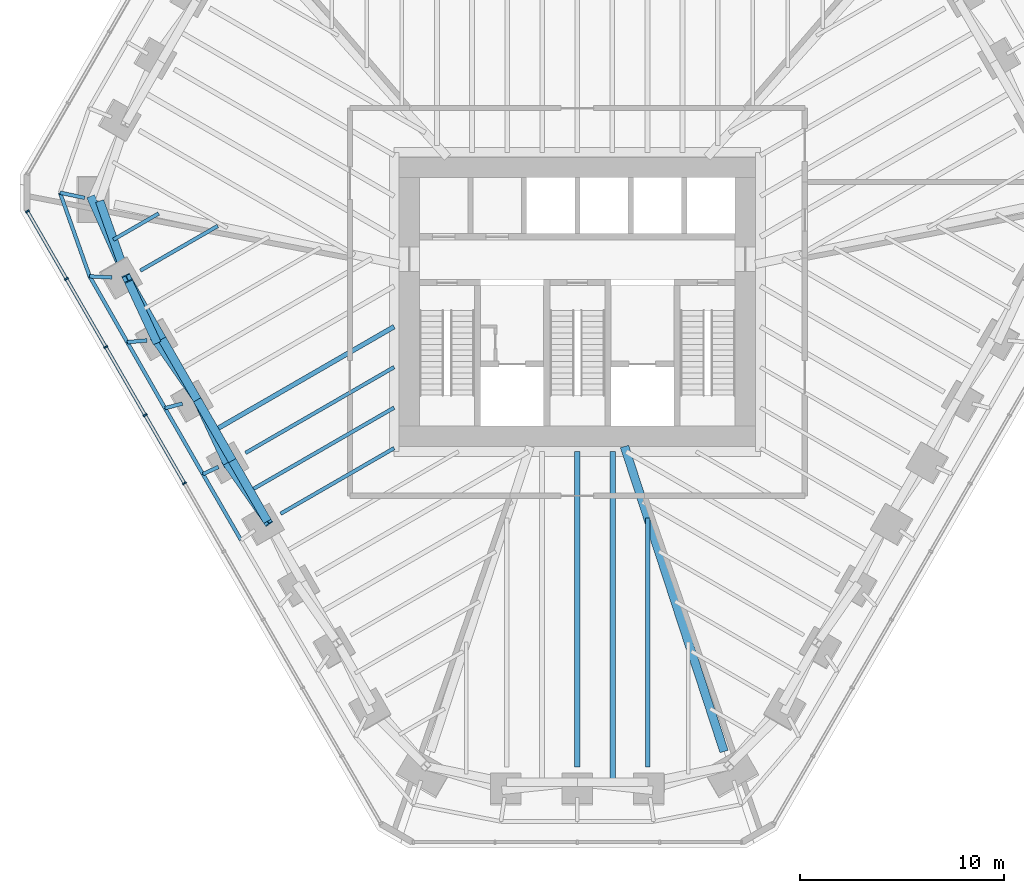
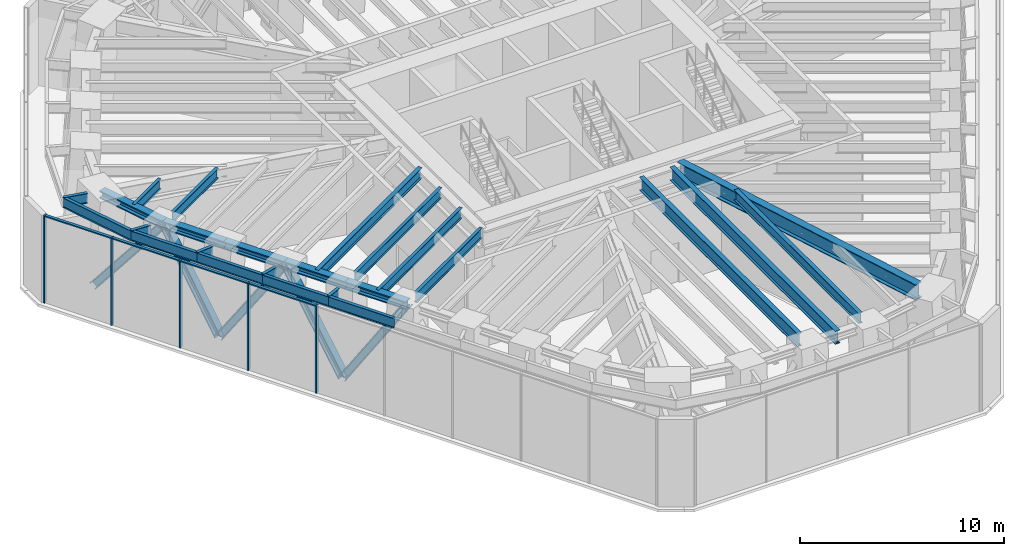
# One storey, part 3 of 13: 25 beams, 14 members, 1 element without a shape of its own.
"""IFC4 building model written with IfcOpenShell, lengths in metres."""

from ifc_helpers import new_model, si_unit, direction, frame, origin, origin_2d, place, context, subcontext, project, spatial, rectangle, i_section, extrude, material, material_profile, profile_set, type_object, element, aggregate, save


model = new_model("IFC4")

# Units and contexts
model_context = context("Model", 3, precision=1e-05, world=origin(), true_north=direction((0.0, 1.0)))
body_context = subcontext(model_context, "Body", "Model", "MODEL_VIEW")
ifc_project = project(units=[si_unit("LENGTHUNIT", "METRE"), si_unit("AREAUNIT", "SQUARE_METRE"), si_unit("VOLUMEUNIT", "CUBIC_METRE"), si_unit("PLANEANGLEUNIT", "RADIAN"), si_unit("MASSUNIT", "GRAM", prefix="KILO")], contexts=[model_context])

# Site, building, storey
site_placement = place(None, origin())
site = spatial("IfcSite", under=ifc_project, at=site_placement, CompositionType="ELEMENT")
building_placement = place(site_placement, origin())
building = spatial("IfcBuilding", under=site, at=building_placement, Name="Sandreach Pilgrim Tower", CompositionType="ELEMENT")
storey_placement = place(building_placement, frame((0.0, 0.0, 251.60009765625)))
storey = spatial("IfcBuildingStorey", under=building, at=storey_placement, Name="L63", CompositionType="ELEMENT", Elevation=251.60009765625)

# Beams
ifc_material_1 = material(Name="Steel ASTM A913 Grade 65", Category="steel")
ifc_material_profile_1 = material_profile(ifc_material_1, i_section(OverallWidth=0.419189453125, OverallDepth=0.45458984375, WebThickness=0.042236328125, FlangeThickness=0.067626953125, at=origin_2d()), Name="W14X370")
ifc_profile_set_1 = profile_set([ifc_material_profile_1], Name="Steel ASTM A913 Grade 65")
beam_type_1 = type_object("IfcBeamType", Name="Belt truss chord W14X370", PredefinedType="BEAM", material=ifc_profile_set_1)
beam_1_placement = place(storey_placement, frame((-15.2177734375, -10.77490234375, 5.012451171875), z_axis=(-0.499988291006, 0.866032163869, 0.0), x_axis=(-0.866032163869, -0.499988291006, 0.0)))
element("IfcBeam", 1, at=beam_1_placement, inside=storey, type_object=beam_type_1, Name="BM L63 BTT30", PredefinedType="BEAM", context=body_context, shape_type="SweptSolid", body=[
    extrude(i_section(OverallWidth=0.419189453125, OverallDepth=0.45458984375, WebThickness=0.042236328125, FlangeThickness=0.067626953125, at=origin_2d()), origin(), (0.0, 0.0, 1.0), 3.44482421875),
])
for number, where, z_axis, x_axis, name in (
    (2, (-16.940185546875, -7.79150390625, 5.012451171875), (-0.500041441558, 0.866001476168, 0.0), (-0.866001476168, -0.500041441558, 0.0), "BM L63 BTT31"),
    (3, (-18.662841796875, -4.80810546875, 5.012451171875), (-0.499957605418, 0.866049878924, 0.0), (-0.866049878924, -0.499957605418, 0.0), "BM L63 BTT32"),
    (4, (-20.38525390625, -1.824462890625, 5.012451171875), (-0.500041441558, 0.866001476168, 0.0), (-0.866001476168, -0.500041441558, 0.0), "BM L63 BTT33"),
):
    element("IfcBeam", number, at=place(storey_placement, frame(where, z_axis=z_axis, x_axis=x_axis)), inside=storey, type_object=beam_type_1, Name=name, PredefinedType="BEAM", context=body_context, shape_type="SweptSolid", body=[
        extrude(i_section(OverallWidth=0.419189453125, OverallDepth=0.45458984375, WebThickness=0.042236328125, FlangeThickness=0.067626953125, at=origin_2d()), origin(), (0.0, 0.0, 1.0), 3.445068359375),
    ])
beam_2_placement = place(storey_placement, frame((-22.10791015625, 1.158935546875, 5.012451171875), z_axis=(-0.33481464839, 0.94228400773, 0.0), x_axis=(-0.94228400773, -0.33481464839, 0.0)))
element("IfcBeam", 5, at=beam_2_placement, inside=storey, type_object=beam_type_1, Name="BM L63 BTT34", PredefinedType="BEAM", context=body_context, shape_type="SweptSolid", body=[
    extrude(i_section(OverallWidth=0.419189453125, OverallDepth=0.45458984375, WebThickness=0.042236328125, FlangeThickness=0.067626953125, at=origin_2d()), origin(), (0.0, 0.0, 1.0), 4.02587890625),
])

# Members
ifc_material_2 = material(Name="Steel ASTM A913 Grade 65", Category="steel")
ifc_material_profile_2 = material_profile(ifc_material_2, i_section(OverallWidth=0.411376953125, OverallDepth=0.434326171875, WebThickness=0.035888671875, FlangeThickness=0.057373046875, at=origin_2d()), Name="W14X311")
ifc_profile_set_2 = profile_set([ifc_material_profile_2], Name="Steel ASTM A913 Grade 65")
member_type_1 = type_object("IfcMemberType", Name="Belt truss diagonal W14X311", PredefinedType="BRACE", material=ifc_profile_set_2)
member_1_placement = place(storey_placement, frame((-15.2177734375, -10.77490234375, 5.012451171875), z_axis=(-0.309907246084, 0.444955083769, -0.840221680423), x_axis=(-0.820582360432, -0.571528293042, 0.0)))
element("IfcMember", 6, at=member_1_placement, inside=storey, type_object=member_type_1, Name="Belt truss diagonal L63 bay 30", PredefinedType="BRACE", context=body_context, shape_type="SweptSolid", body=[
    extrude(i_section(OverallWidth=0.411376953125, OverallDepth=0.434326171875, WebThickness=0.035888671875, FlangeThickness=0.057373046875, at=origin_2d()), origin(), (0.0, 0.0, 1.0), 6.4267578125),
])
member_2_placement = place(storey_placement, frame((-17.20947265625, -7.915283203125, -0.387451171875), z_axis=(-0.227183846521, 0.485699448123, 0.844087404226), x_axis=(-0.905808221504, -0.423687934518, 0.0)))
element("IfcMember", 7, at=member_2_placement, inside=storey, type_object=member_type_1, Name="Belt truss diagonal L63 bay 31", PredefinedType="BRACE", context=body_context, shape_type="SweptSolid", body=[
    extrude(i_section(OverallWidth=0.411376953125, OverallDepth=0.434326171875, WebThickness=0.035888671875, FlangeThickness=0.057373046875, at=origin_2d()), origin(), (0.0, 0.0, 1.0), 6.397216796875),
])
member_3_placement = place(storey_placement, frame((-18.662841796875, -4.80810546875, 5.012451171875), z_axis=(-0.315511993919, 0.455484450723, -0.832457864905), x_axis=(-0.822042997454, -0.569425421224, 0.0)))
element("IfcMember", 8, at=member_3_placement, inside=storey, type_object=member_type_1, Name="Belt truss diagonal L63 bay 32", PredefinedType="BRACE", context=body_context, shape_type="SweptSolid", body=[
    extrude(i_section(OverallWidth=0.411376953125, OverallDepth=0.434326171875, WebThickness=0.035888671875, FlangeThickness=0.057373046875, at=origin_2d()), origin(), (0.0, 0.0, 1.0), 6.48681640625),
])
member_4_placement = place(storey_placement, frame((-20.70947265625, -1.853515625, -0.387451171875), z_axis=(-0.220590655841, 0.475186470395, 0.851784938179), x_axis=(-0.907032029662, -0.42106163108, 0.0)))
element("IfcMember", 9, at=member_4_placement, inside=storey, type_object=member_type_1, Name="Belt truss diagonal L63 bay 33", PredefinedType="BRACE", context=body_context, shape_type="SweptSolid", body=[
    extrude(i_section(OverallWidth=0.411376953125, OverallDepth=0.434326171875, WebThickness=0.035888671875, FlangeThickness=0.057373046875, at=origin_2d()), origin(), (0.0, 0.0, 1.0), 6.339599609375),
])
member_5_placement = place(storey_placement, frame((-22.10791015625, 1.158935546875, 5.012451171875), z_axis=(-0.251174770944, 0.564120825639, -0.786561458833), x_axis=(-0.913538238369, -0.406752857442, 0.0)))
element("IfcMember", 10, at=member_5_placement, inside=storey, type_object=member_type_1, Name="Belt truss diagonal L63 bay 34", PredefinedType="BRACE", context=body_context, shape_type="SweptSolid", body=[
    extrude(i_section(OverallWidth=0.411376953125, OverallDepth=0.434326171875, WebThickness=0.035888671875, FlangeThickness=0.057373046875, at=origin_2d()), origin(), (0.0, 0.0, 1.0), 6.865234375),
])

# Curtain wall, members
ifc_material_3 = material(Name="Aluminium framed curtain wall", Category="aluminium")
curtain_wall_type = type_object("IfcCurtainWallType", Name="Plant storey louvred curtain wall", PredefinedType="NOTDEFINED", material=ifc_material_3)
curtain_wall_placement = place(storey_placement, origin())
curtain_wall = element("IfcCurtainWall", 11, at=curtain_wall_placement, inside=storey, type_object=curtain_wall_type, Name="CW-L L63 SW", PredefinedType="NOTDEFINED")
ifc_material_4 = material(Name="Aluminium extrusion", Category="aluminium")
ifc_material_profile_3 = material_profile(ifc_material_4, rectangle(XDim=0.080078125, YDim=0.199951171875, at=origin_2d()), Name="CW-LM 80X200")
ifc_profile_set_3 = profile_set([ifc_material_profile_3], Name="Aluminium extrusion")
member_type_2 = type_object("IfcMemberType", Name="CW-L mullion", PredefinedType="MULLION", material=ifc_profile_set_3)
member_6_placement = place(storey_placement, frame((-19.291259765625, -8.90673828125, 0.0), z_axis=(0.0, 0.0, 1.0), x_axis=(-0.5, 0.866025403784, 0.0)))
member_6 = element("IfcMember", 12, at=member_6_placement, type_object=member_type_2, Name="CW-L mullion 6", PredefinedType="MULLION", context=body_context, shape_type="SweptSolid", body=[
    extrude(rectangle(XDim=0.080078125, YDim=0.199951171875, at=origin_2d()), origin(), (0.0, 0.0, 1.0), 5.239990234375),
])
member_7_placement = place(storey_placement, frame((-21.223388671875, -5.56005859375, 0.0), z_axis=(0.0, 0.0, 1.0), x_axis=(-0.5, 0.866025403784, 0.0)))
member_7 = element("IfcMember", 13, at=member_7_placement, type_object=member_type_2, Name="CW-L mullion 7", PredefinedType="MULLION", context=body_context, shape_type="SweptSolid", body=[
    extrude(rectangle(XDim=0.080078125, YDim=0.199951171875, at=origin_2d()), origin(), (0.0, 0.0, 1.0), 5.239990234375),
])
member_8_placement = place(storey_placement, frame((-23.15576171875, -2.21337890625, 0.0), z_axis=(0.0, 0.0, 1.0), x_axis=(-0.5, 0.866025403784, 0.0)))
member_8 = element("IfcMember", 14, at=member_8_placement, type_object=member_type_2, Name="CW-L mullion 8", PredefinedType="MULLION", context=body_context, shape_type="SweptSolid", body=[
    extrude(rectangle(XDim=0.080078125, YDim=0.199951171875, at=origin_2d()), origin(), (0.0, 0.0, 1.0), 5.239990234375),
])
member_9_placement = place(storey_placement, frame((-25.087890625, 1.13330078125, 0.0), z_axis=(0.0, 0.0, 1.0), x_axis=(-0.5, 0.866025403784, 0.0)))
member_9 = element("IfcMember", 15, at=member_9_placement, type_object=member_type_2, Name="CW-L mullion 9", PredefinedType="MULLION", context=body_context, shape_type="SweptSolid", body=[
    extrude(rectangle(XDim=0.080078125, YDim=0.199951171875, at=origin_2d()), origin(), (0.0, 0.0, 1.0), 5.239990234375),
])
member_10_placement = place(storey_placement, frame((-27.000244140625, 4.4453125, 0.0), z_axis=(0.0, 0.0, 1.0), x_axis=(-0.5, 0.866025403784, 0.0)))
member_10 = element("IfcMember", 16, at=member_10_placement, type_object=member_type_2, Name="CW-L mullion 10", PredefinedType="MULLION", context=body_context, shape_type="SweptSolid", body=[
    extrude(rectangle(XDim=0.080078125, YDim=0.199951171875, at=origin_2d()), origin(), (0.0, 0.0, 1.0), 5.239990234375),
])
ifc_material_5 = material(Name="Aluminium extrusion", Category="aluminium")
ifc_material_profile_4 = material_profile(ifc_material_5, rectangle(XDim=0.159912109375, YDim=0.070068359375, at=origin_2d()), Name="CW-LT 160X70")
ifc_profile_set_4 = profile_set([ifc_material_profile_4], Name="Aluminium extrusion")
member_type_3 = type_object("IfcMemberType", Name="CW-L transom", PredefinedType="USERDEFINED", material=ifc_profile_set_4)
member_11_placement = place(storey_placement, frame((-19.311279296875, -8.8720703125, 5.204833984375), z_axis=(-0.500031448545, 0.866007246197, 0.0), x_axis=(-0.866007246197, -0.500031448545, 0.0)))
member_11 = element("IfcMember", 17, at=member_11_placement, type_object=member_type_3, Name="CW-L head transom 6", ObjectType="TRANSOM", PredefinedType="USERDEFINED", context=body_context, shape_type="SweptSolid", body=[
    extrude(rectangle(XDim=0.159912109375, YDim=0.070068359375, at=origin_2d()), origin(), (0.0, 0.0, 1.0), 3.784423828125),
])
member_12_placement = place(storey_placement, frame((-21.243408203125, -5.525390625, 5.204833984375), z_axis=(-0.500031448545, 0.866007246197, 0.0), x_axis=(-0.866007246197, -0.500031448545, 0.0)))
member_12 = element("IfcMember", 18, at=member_12_placement, type_object=member_type_3, Name="CW-L head transom 7", ObjectType="TRANSOM", PredefinedType="USERDEFINED", context=body_context, shape_type="SweptSolid", body=[
    extrude(rectangle(XDim=0.159912109375, YDim=0.070068359375, at=origin_2d()), origin(), (0.0, 0.0, 1.0), 3.784423828125),
])
member_13_placement = place(storey_placement, frame((-23.17578125, -2.1787109375, 5.204833984375), z_axis=(-0.499983064336, 0.866035181374, 0.0), x_axis=(-0.866035181374, -0.499983064336, 0.0)))
member_13 = element("IfcMember", 19, at=member_13_placement, type_object=member_type_3, Name="CW-L head transom 8", ObjectType="TRANSOM", PredefinedType="USERDEFINED", context=body_context, shape_type="SweptSolid", body=[
    extrude(rectangle(XDim=0.159912109375, YDim=0.070068359375, at=origin_2d()), origin(), (0.0, 0.0, 1.0), 3.784423828125),
])
member_14_placement = place(storey_placement, frame((-25.10791015625, 1.16796875, 5.204833984375), z_axis=(-0.500030989569, 0.866007511209, 0.0), x_axis=(-0.866007511209, -0.500030989569, 0.0)))
member_14 = element("IfcMember", 20, at=member_14_placement, type_object=member_type_3, Name="CW-L head transom 9", ObjectType="TRANSOM", PredefinedType="USERDEFINED", context=body_context, shape_type="SweptSolid", body=[
    extrude(rectangle(XDim=0.159912109375, YDim=0.070068359375, at=origin_2d()), origin(), (0.0, 0.0, 1.0), 3.744384765625),
])
aggregate(curtain_wall, [member_6, member_7, member_8, member_9, member_10, member_11, member_12, member_13, member_14])

# Beams
ifc_material_6 = material(Name="Steel ASTM A992 Grade 50", Category="steel")
ifc_material_profile_5 = material_profile(ifc_material_6, i_section(OverallWidth=0.421630859375, OverallDepth=0.937255859375, WebThickness=0.0224609375, FlangeThickness=0.039794921875, at=origin_2d()), Name="W36X282")
ifc_profile_set_5 = profile_set([ifc_material_profile_5], Name="Steel ASTM A992 Grade 50")
beam_type_2 = type_object("IfcBeamType", Name="Corner girder W36X282", PredefinedType="BEAM", material=ifc_profile_set_5)
beam_3_placement = place(storey_placement, frame((7.206298828125, -22.076416015625, 4.771240234375), z_axis=(-0.310312612616, 0.950634568302, 0.0), x_axis=(-0.950634568302, -0.310312612616, 0.0)))
element("IfcBeam", 21, at=beam_3_placement, inside=storey, type_object=beam_type_2, Name="BM L63 CG22", PredefinedType="BEAM", context=body_context, shape_type="SweptSolid", body=[
    extrude(i_section(OverallWidth=0.421630859375, OverallDepth=0.937255859375, WebThickness=0.0224609375, FlangeThickness=0.039794921875, at=origin_2d()), origin(), (0.0, 0.0, 1.0), 15.75390625),
])
ifc_material_7 = material(Name="Steel ASTM A992 Grade 50", Category="steel")
ifc_material_profile_6 = material_profile(ifc_material_7, i_section(OverallWidth=0.1787109375, OverallDepth=0.60205078125, WebThickness=0.010986328125, FlangeThickness=0.014892578125, at=origin_2d()), Name="W24X62")
ifc_profile_set_6 = profile_set([ifc_material_profile_6], Name="Steel ASTM A992 Grade 50")
beam_type_3 = type_object("IfcBeamType", Name="Floor beam W24X62", PredefinedType="BEAM", material=ifc_profile_set_6)
beam_4_placement = place(storey_placement, frame((-14.568115234375, -10.39990234375, 4.93896484375), z_axis=(0.866013701895, 0.500020267719, 0.0), x_axis=(-0.500020267719, 0.866013701895, 0.0)))
element("IfcBeam", 22, at=beam_4_placement, inside=storey, type_object=beam_type_3, Name="BM L63 F30", PredefinedType="BEAM", context=body_context, shape_type="SweptSolid", body=[
    extrude(i_section(OverallWidth=0.1787109375, OverallDepth=0.60205078125, WebThickness=0.010986328125, FlangeThickness=0.014892578125, at=origin_2d()), origin(), (0.0, 0.0, 1.0), 6.433837890625),
])
beam_5_placement = place(storey_placement, frame((-16.290771484375, -7.41650390625, 4.93896484375), z_axis=(0.866026299211, 0.499998449073, 0.0), x_axis=(-0.499998449073, 0.866026299211, 0.0)))
element("IfcBeam", 23, at=beam_5_placement, inside=storey, type_object=beam_type_3, Name="BM L63 F31", PredefinedType="BEAM", context=body_context, shape_type="SweptSolid", body=[
    extrude(i_section(OverallWidth=0.1787109375, OverallDepth=0.60205078125, WebThickness=0.010986328125, FlangeThickness=0.014892578125, at=origin_2d()), origin(), (0.0, 0.0, 1.0), 8.4228515625),
])
beam_6_placement = place(storey_placement, frame((-21.458251953125, 1.533935546875, 4.93896484375), z_axis=(0.866040137723, 0.499974479201, 0.0), x_axis=(-0.499974479201, 0.866040137723, 0.0)))
element("IfcBeam", 24, at=beam_6_placement, inside=storey, type_object=beam_type_3, Name="BM L63 F34", PredefinedType="BEAM", context=body_context, shape_type="SweptSolid", body=[
    extrude(i_section(OverallWidth=0.1787109375, OverallDepth=0.60205078125, WebThickness=0.010986328125, FlangeThickness=0.014892578125, at=origin_2d()), origin(), (0.0, 0.0, 1.0), 4.388427734375),
])
beam_7_placement = place(storey_placement, frame((-16.0791015625, -9.283203125, 4.93896484375), z_axis=(0.866031978759, 0.499988611638, 0.0), x_axis=(-0.499988611638, 0.866031978759, 0.0)))
element("IfcBeam", 25, at=beam_7_placement, inside=storey, type_object=beam_type_3, Name="BM L63 FM30", PredefinedType="BEAM", context=body_context, shape_type="SweptSolid", body=[
    extrude(i_section(OverallWidth=0.1787109375, OverallDepth=0.60205078125, WebThickness=0.010986328125, FlangeThickness=0.014892578125, at=origin_2d()), origin(), (0.0, 0.0, 1.0), 8.178466796875),
])
beam_8_placement = place(storey_placement, frame((-22.78173828125, 3.0556640625, 4.93896484375), z_axis=(0.8660004255, 0.500043261163, 0.0), x_axis=(-0.500043261163, 0.8660004255, 0.0)))
element("IfcBeam", 26, at=beam_8_placement, inside=storey, type_object=beam_type_3, Name="BM L63 FM34", PredefinedType="BEAM", context=body_context, shape_type="SweptSolid", body=[
    extrude(i_section(OverallWidth=0.1787109375, OverallDepth=0.60205078125, WebThickness=0.010986328125, FlangeThickness=0.014892578125, at=origin_2d()), origin(), (0.0, 0.0, 1.0), 2.569091796875),
])
ifc_material_8 = material(Name="Steel ASTM A992 Grade 50", Category="steel")
ifc_material_profile_7 = material_profile(ifc_material_8, i_section(OverallWidth=0.23046875, OverallDepth=0.6171875, WebThickness=0.01318359375, FlangeThickness=0.022216796875, at=origin_2d()), Name="W24X94")
ifc_profile_set_7 = profile_set([ifc_material_profile_7], Name="Steel ASTM A992 Grade 50")
beam_type_4 = type_object("IfcBeamType", Name="Floor beam W24X94", PredefinedType="BEAM", material=ifc_profile_set_7)
beam_9_placement = place(storey_placement, frame((3.465576171875, -22.84814453125, 4.931396484375), z_axis=(0.0, 1.0, 0.0), x_axis=(-1.0, 0.0, 0.0)))
element("IfcBeam", 27, at=beam_9_placement, inside=storey, type_object=beam_type_4, Name="BM L63 F23", PredefinedType="BEAM", context=body_context, shape_type="SweptSolid", body=[
    extrude(i_section(OverallWidth=0.23046875, OverallDepth=0.6171875, WebThickness=0.01318359375, FlangeThickness=0.022216796875, at=origin_2d()), origin(), (0.0, 0.0, 1.0), 12.2314453125),
])
beam_10_placement = place(storey_placement, frame((-17.801513671875, -6.2998046875, 4.931396484375), z_axis=(0.866022438472, 0.500005136037, 0.0), x_axis=(-0.500005136037, 0.866022438472, 0.0)))
element("IfcBeam", 28, at=beam_10_placement, inside=storey, type_object=beam_type_4, Name="BM L63 FM31", PredefinedType="BEAM", context=body_context, shape_type="SweptSolid", body=[
    extrude(i_section(OverallWidth=0.23046875, OverallDepth=0.6171875, WebThickness=0.01318359375, FlangeThickness=0.022216796875, at=origin_2d()), origin(), (0.0, 0.0, 1.0), 10.16748046875),
])
ifc_material_9 = material(Name="Steel ASTM A992 Grade 50", Category="steel")
ifc_material_profile_8 = material_profile(ifc_material_9, i_section(OverallWidth=0.2666015625, OverallDepth=0.77978515625, WebThickness=0.0166015625, FlangeThickness=0.030029296875, at=origin_2d()), Name="W30X148")
ifc_profile_set_8 = profile_set([ifc_material_profile_8], Name="Steel ASTM A992 Grade 50")
beam_type_5 = type_object("IfcBeamType", Name="Floor beam W30X148", PredefinedType="BEAM", material=ifc_profile_set_8)
beam_11_placement = place(storey_placement, frame((0.0, -22.84814453125, 4.85009765625), z_axis=(0.0, 1.0, 0.0), x_axis=(-1.0, 0.0, 0.0)))
element("IfcBeam", 29, at=beam_11_placement, inside=storey, type_object=beam_type_5, Name="BM L63 F24", PredefinedType="BEAM", context=body_context, shape_type="SweptSolid", body=[
    extrude(i_section(OverallWidth=0.2666015625, OverallDepth=0.77978515625, WebThickness=0.0166015625, FlangeThickness=0.030029296875, at=origin_2d()), origin(), (0.0, 0.0, 1.0), 15.501953125),
])
beam_12_placement = place(storey_placement, frame((1.732666015625, -23.59814453125, 4.85009765625), z_axis=(0.0, 1.0, 0.0), x_axis=(-1.0, 0.0, 0.0)))
element("IfcBeam", 30, at=beam_12_placement, inside=storey, type_object=beam_type_5, Name="BM L63 FM23", PredefinedType="BEAM", context=body_context, shape_type="SweptSolid", body=[
    extrude(i_section(OverallWidth=0.2666015625, OverallDepth=0.77978515625, WebThickness=0.0166015625, FlangeThickness=0.030029296875, at=origin_2d()), origin(), (0.0, 0.0, 1.0), 16.251953125),
])
ifc_material_10 = material(Name="Steel ASTM A992 Grade 50", Category="steel")
ifc_material_profile_9 = material_profile(ifc_material_10, i_section(OverallWidth=0.1787109375, OverallDepth=0.60205078125, WebThickness=0.010986328125, FlangeThickness=0.014892578125, at=origin_2d()), Name="W24X62")
ifc_profile_set_9 = profile_set([ifc_material_profile_9], Name="Steel ASTM A992 Grade 50")
beam_type_6 = type_object("IfcBeamType", Name="Setback roof edge beam W24X62", PredefinedType="BEAM", material=ifc_profile_set_9)
beam_13_placement = place(storey_placement, frame((-16.514892578125, -11.693359375, 4.89892578125), z_axis=(-0.500008851346, 0.866020293397, 0.0), x_axis=(-0.866020293397, -0.500008851346, 0.0)))
element("IfcBeam", 31, at=beam_13_placement, inside=storey, type_object=beam_type_6, Name="BM L63 RE30", PredefinedType="BEAM", context=body_context, shape_type="SweptSolid", body=[
    extrude(i_section(OverallWidth=0.1787109375, OverallDepth=0.60205078125, WebThickness=0.010986328125, FlangeThickness=0.014892578125, at=origin_2d()), origin(), (0.0, 0.0, 1.0), 3.73876953125),
])
beam_14_placement = place(storey_placement, frame((-18.38427734375, -8.45556640625, 4.89892578125), z_axis=(-0.498115052647, 0.867110946953, 0.0), x_axis=(-0.867110946953, -0.498115052647, 0.0)))
element("IfcBeam", 32, at=beam_14_placement, inside=storey, type_object=beam_type_6, Name="BM L63 RE31", PredefinedType="BEAM", context=body_context, shape_type="SweptSolid", body=[
    extrude(i_section(OverallWidth=0.1787109375, OverallDepth=0.60205078125, WebThickness=0.010986328125, FlangeThickness=0.014892578125, at=origin_2d()), origin(), (0.0, 0.0, 1.0), 3.736328125),
])
beam_15_placement = place(storey_placement, frame((-20.245361328125, -5.2158203125, 4.89892578125), z_axis=(-0.496737827219, 0.867900645817, 0.0), x_axis=(-0.867900645817, -0.496737827219, 0.0)))
element("IfcBeam", 33, at=beam_15_placement, inside=storey, type_object=beam_type_6, Name="BM L63 RE32", PredefinedType="BEAM", context=body_context, shape_type="SweptSolid", body=[
    extrude(i_section(OverallWidth=0.1787109375, OverallDepth=0.60205078125, WebThickness=0.010986328125, FlangeThickness=0.014892578125, at=origin_2d()), origin(), (0.0, 0.0, 1.0), 3.73095703125),
])
beam_16_placement = place(storey_placement, frame((-22.0986328125, -1.977783203125, 4.89892578125), z_axis=(-0.49601889447, 0.868311727623, 0.0), x_axis=(-0.868311727623, -0.49601889447, 0.0)))
element("IfcBeam", 34, at=beam_16_placement, inside=storey, type_object=beam_type_6, Name="BM L63 RE33", PredefinedType="BEAM", context=body_context, shape_type="SweptSolid", body=[
    extrude(i_section(OverallWidth=0.1787109375, OverallDepth=0.60205078125, WebThickness=0.010986328125, FlangeThickness=0.014892578125, at=origin_2d()), origin(), (0.0, 0.0, 1.0), 3.723388671875),
])
beam_17_placement = place(storey_placement, frame((-23.945556640625, 1.25537109375, 4.89892578125), z_axis=(-0.334003731601, 0.942571751792, 0.0), x_axis=(-0.942571751792, -0.334003731601, 0.0)))
element("IfcBeam", 35, at=beam_17_placement, inside=storey, type_object=beam_type_6, Name="BM L63 RE34", PredefinedType="BEAM", context=body_context, shape_type="SweptSolid", body=[
    extrude(i_section(OverallWidth=0.1787109375, OverallDepth=0.60205078125, WebThickness=0.010986328125, FlangeThickness=0.014892578125, at=origin_2d()), origin(), (0.0, 0.0, 1.0), 4.35791015625),
])
ifc_material_11 = material(Name="Steel ASTM A992 Grade 50", Category="steel")
ifc_material_profile_10 = material_profile(ifc_material_11, i_section(OverallWidth=0.1787109375, OverallDepth=0.60205078125, WebThickness=0.010986328125, FlangeThickness=0.014892578125, at=origin_2d()), Name="W24X62")
ifc_profile_set_10 = profile_set([ifc_material_profile_10], Name="Steel ASTM A992 Grade 50")
beam_type_7 = type_object("IfcBeamType", Name="Setback roof outlooker W24X62", PredefinedType="BEAM", material=ifc_profile_set_10)
beam_18_placement = place(storey_placement, frame((-17.62158203125, -8.10498046875, 4.89892578125), z_axis=(-0.908605259154, -0.417655938587, 0.0), x_axis=(0.417655938587, -0.908605259154, 0.0)))
element("IfcBeam", 36, at=beam_18_placement, inside=storey, type_object=beam_type_7, Name="BM L63 OL31", PredefinedType="BEAM", context=body_context, shape_type="SweptSolid", body=[
    extrude(i_section(OverallWidth=0.1787109375, OverallDepth=0.60205078125, WebThickness=0.010986328125, FlangeThickness=0.014892578125, at=origin_2d()), origin(), (0.0, 0.0, 1.0), 0.83935546875),
])
beam_19_placement = place(storey_placement, frame((-19.38916015625, -4.9951171875, 4.89892578125), z_axis=(-0.968346249018, -0.249610781042, 0.0), x_axis=(0.249610781042, -0.968346249018, 0.0)))
element("IfcBeam", 37, at=beam_19_placement, inside=storey, type_object=beam_type_7, Name="BM L63 OL32", PredefinedType="BEAM", context=body_context, shape_type="SweptSolid", body=[
    extrude(i_section(OverallWidth=0.1787109375, OverallDepth=0.60205078125, WebThickness=0.010986328125, FlangeThickness=0.014892578125, at=origin_2d()), origin(), (0.0, 0.0, 1.0), 0.88427734375),
])
beam_20_placement = place(storey_placement, frame((-21.13232421875, -1.891357421875, 4.89892578125), z_axis=(-0.99602416002, -0.08908351507, 0.0), x_axis=(0.08908351507, -0.99602416002, 0.0)))
element("IfcBeam", 38, at=beam_20_placement, inside=storey, type_object=beam_type_7, Name="BM L63 OL33", PredefinedType="BEAM", context=body_context, shape_type="SweptSolid", body=[
    extrude(i_section(OverallWidth=0.1787109375, OverallDepth=0.60205078125, WebThickness=0.010986328125, FlangeThickness=0.014892578125, at=origin_2d()), origin(), (0.0, 0.0, 1.0), 0.97021484375),
])
beam_21_placement = place(storey_placement, frame((-22.856689453125, 1.1982421875, 4.89892578125), z_axis=(-0.998626475177, 0.052394303855, 0.0), x_axis=(-0.052394303855, -0.998626475177, 0.0)))
element("IfcBeam", 39, at=beam_21_placement, inside=storey, type_object=beam_type_7, Name="BM L63 OL34", PredefinedType="BEAM", context=body_context, shape_type="SweptSolid", body=[
    extrude(i_section(OverallWidth=0.1787109375, OverallDepth=0.60205078125, WebThickness=0.010986328125, FlangeThickness=0.014892578125, at=origin_2d()), origin(), (0.0, 0.0, 1.0), 1.09033203125),
])
beam_22_placement = place(storey_placement, frame((-24.189697265625, 5.107177734375, 4.89892578125), z_axis=(-0.978415683026, 0.206646440107, 0.0), x_axis=(-0.206646440107, -0.978415683026, 0.0)))
element("IfcBeam", 40, at=beam_22_placement, inside=storey, type_object=beam_type_7, Name="BM L63 OL35", PredefinedType="BEAM", context=body_context, shape_type="SweptSolid", body=[
    extrude(i_section(OverallWidth=0.1787109375, OverallDepth=0.60205078125, WebThickness=0.010986328125, FlangeThickness=0.014892578125, at=origin_2d()), origin(), (0.0, 0.0, 1.0), 1.238037109375),
])

save(model, "model.ifc")
